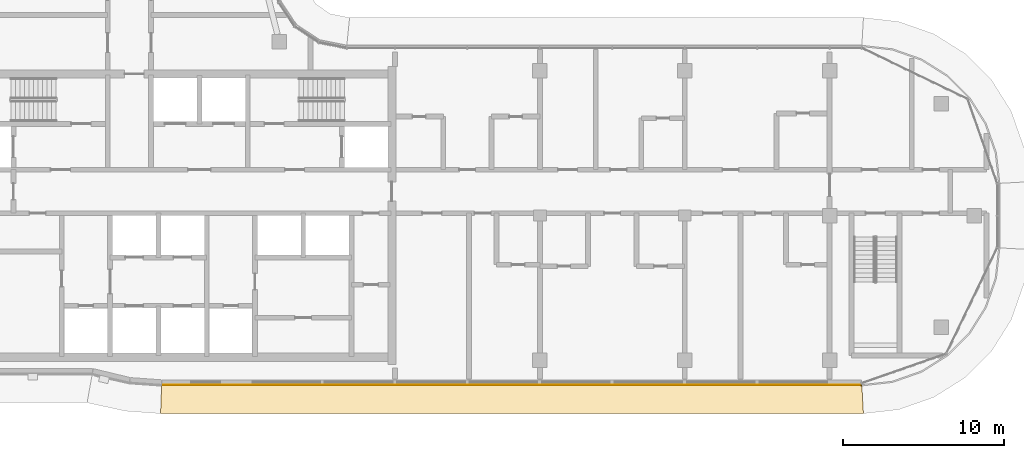
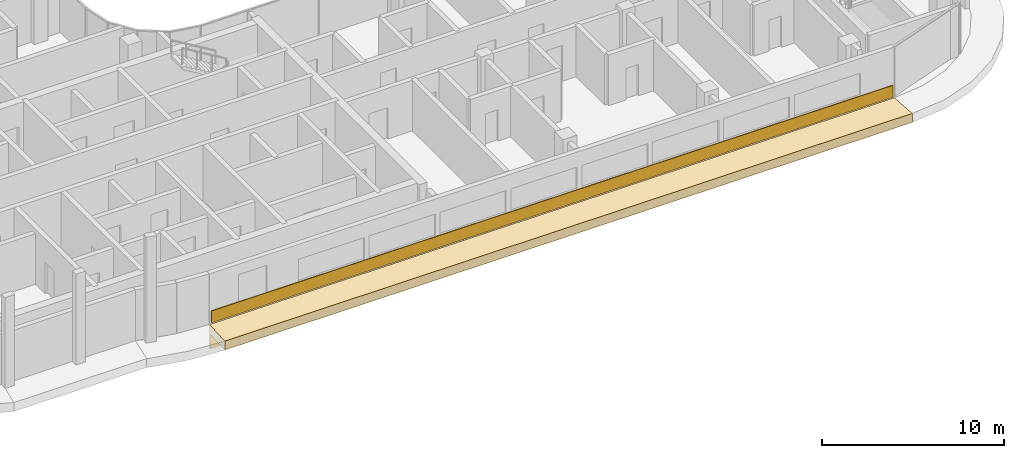
# One storey, part 19 of 21: 3 coverings.
"""IFC4 building model written with IfcOpenShell, lengths in metres."""

import ifcopenshell
import ifcopenshell.guid

model = None  # the IFC model being written
_history = None  # IfcOwnerHistory: only IFC2X3 demands one
_inside = {}  # id of a spatial element -> (the spatial element, [elements in it])
_under = {}  # id of a project, library or spatial element -> (it, [spatial elements below it])
_declared = {}  # id of a project -> (the project, [libraries it declares])
_typed = {}  # id of a type object -> (the type object, [elements of that type])
_made_of = {}  # id of a material, layer set ... -> (it, [elements and type objects made of it])


def new_model(schema):
    """Start an empty IFC model of exactly this schema.

    Asked for "IFC4X3", IfcOpenShell would pick the latest addendum, in which some entities
    have other attributes; the version numbers below select the first issue.
    IFC2X3 requires an IfcOwnerHistory on every rooted entity: one is made here for all.
    """
    global model, _history
    if schema == "IFC4X3":
        model = ifcopenshell.file(schema_version=(4, 3, 0, 0))
    else:
        model = ifcopenshell.file(schema=schema)
    _inside.clear()
    _under.clear()
    _declared.clear()
    _typed.clear()
    _made_of.clear()
    _history = None
    if model.schema == "IFC2X3":
        org = make("IfcOrganization", Name="unknown")
        user = make(
            "IfcPersonAndOrganization",
            ThePerson=make("IfcPerson", FamilyName="unknown"),
            TheOrganization=org,
        )
        app = make(
            "IfcApplication",
            ApplicationDeveloper=org,
            Version="unknown",
            ApplicationFullName="unknown",
            ApplicationIdentifier="unknown",
        )
        _history = make(
            "IfcOwnerHistory",
            OwningUser=user,
            OwningApplication=app,
            ChangeAction="ADDED",
            CreationDate=0,
        )
    return model


def make(cls, **values):
    """One entity of the class cls with the attributes given. An attribute that is None is left unset."""
    return model.create_entity(
        cls, **{name: value for name, value in values.items() if value is not None}
    )


def rooted(cls, **values):
    """An entity with a GlobalId (a new one), such as an element, a storey or a relation."""
    return make(cls, GlobalId=ifcopenshell.guid.new(), OwnerHistory=_history, **values)


def si_unit(unit_type, name, prefix=None):
    """IfcSIUnit, for example si_unit("LENGTHUNIT", "METRE", prefix="MILLI")."""
    return make("IfcSIUnit", UnitType=unit_type, Prefix=prefix, Name=name)


def assignment(units):
    """IfcUnitAssignment: the units of a project."""
    return None if units is None else make("IfcUnitAssignment", Units=units)


def point(xyz):
    """IfcCartesianPoint."""
    return None if xyz is None else make("IfcCartesianPoint", Coordinates=xyz)


def direction(xyz):
    """IfcDirection."""
    return None if xyz is None else make("IfcDirection", DirectionRatios=xyz)


def frame(location, z_axis=None, x_axis=None):
    """IfcAxis2Placement3D, a coordinate frame: its origin and axes. An axis left out is left unset."""
    return make(
        "IfcAxis2Placement3D",
        Location=point(location),
        Axis=direction(z_axis),
        RefDirection=direction(x_axis),
    )


def frame_2d(location, x_axis=None):
    """IfcAxis2Placement2D, a coordinate frame in the plane: its origin and x axis."""
    return make(
        "IfcAxis2Placement2D", Location=point(location), RefDirection=direction(x_axis)
    )


def origin():
    """The frame at (0, 0, 0) with its axes left unset."""
    return frame((0.0, 0.0, 0.0))


def origin_2d():
    """The frame at (0, 0) in the plane with its x axis left unset."""
    return frame_2d((0.0, 0.0))


def place(relative_to, where):
    """IfcLocalPlacement: puts the frame where relative to a parent placement (None: the world)."""
    return make(
        "IfcLocalPlacement", PlacementRelTo=relative_to, RelativePlacement=where
    )


def context(
    kind, dimensions, precision=None, world=None, true_north=None, identifier=None
):
    """IfcGeometricRepresentationContext, for example the 3D "Model" context."""
    return make(
        "IfcGeometricRepresentationContext",
        ContextIdentifier=identifier,
        ContextType=kind,
        CoordinateSpaceDimension=dimensions,
        Precision=precision,
        WorldCoordinateSystem=world,
        TrueNorth=true_north,
    )


def subcontext(parent, identifier, kind, view, scale=None):
    """IfcGeometricRepresentationSubContext, for example "Body" below "Model"."""
    return make(
        "IfcGeometricRepresentationSubContext",
        ContextIdentifier=identifier,
        ContextType=kind,
        ParentContext=parent,
        TargetScale=scale,
        TargetView=view,
    )


def project(units=None, contexts=None):
    """IfcProject with its units and contexts."""
    return rooted(
        "IfcProject",
        Name="project",
        RepresentationContexts=contexts,
        UnitsInContext=assignment(units),
    )


def spatial(cls, under=None, at=None, **own):
    """A site, building, storey or space (cls), placed at a placement, below another one or the project."""
    s = rooted(cls, ObjectPlacement=at, **own)
    if under is not None:
        _under.setdefault(under.id(), (under, []))[1].append(s)
    return s


def polyline(points):
    """IfcPolyline through the points."""
    return make("IfcPolyline", Points=[point(p) for p in points])


def profile(cls, at=None, kind="AREA", **sizes):
    """A parametric profile (cls). Its sizes go by their IFC names, for example OverallWidth=200.0."""
    return make(cls, ProfileType=kind, Position=at, **sizes)


def rectangle(**sizes):
    """IfcRectangleProfileDef."""
    return profile("IfcRectangleProfileDef", **sizes)


def outline(outer, holes=None, kind="AREA"):
    """IfcArbitraryClosedProfileDef: a profile drawn as a closed curve; with holes, ...WithVoids."""
    if holes is None:
        return make("IfcArbitraryClosedProfileDef", ProfileType=kind, OuterCurve=outer)
    return make(
        "IfcArbitraryProfileDefWithVoids",
        ProfileType=kind,
        OuterCurve=outer,
        InnerCurves=holes,
    )


def extrude(swept, where, along, depth):
    """IfcExtrudedAreaSolid: the profile swept, set in the frame where, extruded along a direction by depth."""
    return make(
        "IfcExtrudedAreaSolid",
        SweptArea=swept,
        Position=where,
        ExtrudedDirection=direction(along),
        Depth=depth,
    )


def shape(context_of_items, identifier, shape_type, items):
    """IfcShapeRepresentation: the items that make up one representation, for example the "Body"."""
    return make(
        "IfcShapeRepresentation",
        ContextOfItems=context_of_items,
        RepresentationIdentifier=identifier,
        RepresentationType=shape_type,
        Items=items,
    )


def material(Name=None, Category=None):
    """IfcMaterial."""
    return make("IfcMaterial", Name=Name, Category=Category)


def layer(
    of_material, thickness, ventilated=None, Name=None, Category=None, Priority=None
):
    """IfcMaterialLayer: one layer of a wall or slab, of a material (None: an air gap)."""
    return make(
        "IfcMaterialLayer",
        Material=of_material,
        LayerThickness=thickness,
        IsVentilated=ventilated,
        Name=Name,
        Category=Category,
        Priority=Priority,
    )


def layer_set(layers, Name=None):
    """IfcMaterialLayerSet."""
    return make("IfcMaterialLayerSet", MaterialLayers=layers, LayerSetName=Name)


def made_of(thing, what):
    """Note that an element or type object is made of a material, layer set ...; save() writes the relation."""
    if what is not None:
        _made_of.setdefault(what.id(), (what, []))[1].append(thing)
    return thing


def type_object(cls, material=None, **own):
    """A type object (cls), such as IfcWallType, which elements share."""
    return made_of(rooted(cls, **own), material)


def element(
    cls,
    number,
    at=None,
    inside=None,
    cuts=None,
    type_object=None,
    material=None,
    context=None,
    identifier="Body",
    shape_type=None,
    held_by="IfcProductDefinitionShape",
    body=None,
    shapes=None,
    **own,
):
    """One element of the class cls, such as IfcWall. Its Tag is "e" and its number.

    at: its placement. inside: the storey or other place that contains it. cuts: it is an
    opening in that element (IfcRelVoidsElement). A single representation is given by context,
    identifier, shape_type and body (its items); several are given by shapes. held_by: the class
    of the entity that holds the representations. save() writes the other relations.
    """
    e = rooted(cls, Tag="e%d" % number, ObjectPlacement=at, **own)
    if body is not None:
        shapes = [shape(context, identifier, shape_type, body)]
    if shapes is not None:
        e.Representation = make(held_by, Representations=shapes)
    if inside is not None:
        _inside.setdefault(inside.id(), (inside, []))[1].append(e)
    if cuts is not None:
        rooted(
            "IfcRelVoidsElement", RelatingBuildingElement=cuts, RelatedOpeningElement=e
        )
    if type_object is not None:
        _typed.setdefault(type_object.id(), (type_object, []))[1].append(e)
    return made_of(e, material)


def aggregate(whole, parts):
    """IfcRelAggregates: a whole, such as a stair, and the parts it consists of."""
    return rooted("IfcRelAggregates", RelatingObject=whole, RelatedObjects=parts)


def save(model, path):
    """Write the relations noted so far, then the file.

    IfcRelAggregates (storeys below a building ...), IfcRelContainedInSpatialStructure (elements
    in a storey), IfcRelDefinesByType, IfcRelAssociatesMaterial and IfcRelDeclares: one each for
    every whole, place, type object, material and project.
    """
    for whole, parts in _under.values():
        aggregate(whole, parts)
    for where, things in _inside.values():
        rooted(
            "IfcRelContainedInSpatialStructure",
            RelatedElements=things,
            RelatingStructure=where,
        )
    for kind, things in _typed.values():
        rooted("IfcRelDefinesByType", RelatedObjects=things, RelatingType=kind)
    for what, things in _made_of.values():
        rooted("IfcRelAssociatesMaterial", RelatedObjects=things, RelatingMaterial=what)
    for by, libraries in _declared.values():
        rooted("IfcRelDeclares", RelatingContext=by, RelatedDefinitions=libraries)
    model.write(path)


model = new_model("IFC4")

# Units and contexts
model_context = context("Model", 3, precision=1e-05, world=origin(), true_north=direction((0.0, 1.0)))
body_context = subcontext(model_context, "Body", "Model", "MODEL_VIEW")
ifc_project = project(units=[si_unit("LENGTHUNIT", "METRE"), si_unit("AREAUNIT", "SQUARE_METRE"), si_unit("VOLUMEUNIT", "CUBIC_METRE"), si_unit("PLANEANGLEUNIT", "RADIAN"), si_unit("MASSUNIT", "GRAM", prefix="KILO")], contexts=[model_context])

# Site, building, storey
site_placement = place(None, origin())
site = spatial("IfcSite", under=ifc_project, at=site_placement, CompositionType="ELEMENT")
building_placement = place(site_placement, origin())
building = spatial("IfcBuilding", under=site, at=building_placement, Name="Ogive Portal Towers", CompositionType="ELEMENT")
storey_placement = place(building_placement, frame((0.0, 0.0, 225.39990234375)))
storey = spatial("IfcBuildingStorey", under=building, at=storey_placement, Name="L56", CompositionType="ELEMENT", Elevation=225.39990234375)

# Coverings
ifc_material = material(Name="Limestone cladding on lightweight block wall", Category="masonry")
ifc_layer_1 = layer(ifc_material, 0.050048828125)
ifc_layer_set_1 = layer_set([ifc_layer_1], Name="SCREEN PERFORATED STONE")
covering_type_1 = type_object("IfcCoveringType", Name="SCREEN PERFORATED STONE", PredefinedType="CLADDING", material=ifc_layer_set_1)
covering_1_placement = place(storey_placement, frame((65.74853515625, 19.97509765625, 0.10009765625), z_axis=(0.0, 0.0, 1.0), x_axis=(1.0, 0.0, 0.0)))
element("IfcCovering", 1, at=covering_1_placement, inside=storey, type_object=covering_type_1, Name="Tracery screen", PredefinedType="CLADDING", context=body_context, shape_type="SweptSolid", body=[
    extrude(rectangle(XDim=43.275634765625, YDim=0.050048828125, at=origin_2d()), origin(), (0.0, 0.0, 1.0), 0.800048828125),
])
ifc_layer_2 = layer(ifc_material, 0.080078125)
ifc_layer_set_2 = layer_set([ifc_layer_2], Name="STONE SPANDREL 80")
covering_type_2 = type_object("IfcCoveringType", Name="STONE SPANDREL 80", PredefinedType="CLADDING", material=ifc_layer_set_2)
covering_2_placement = place(storey_placement, frame((0.0, 0.0, -1.599853515625)))
element("IfcCovering", 2, at=covering_2_placement, inside=storey, type_object=covering_type_2, Name="Stone spandrel A1-F05", PredefinedType="CLADDING", context=body_context, shape_type="SweptSolid", body=[
    extrude(outline(polyline([(44.0, 20.0), (87.5, 20.0), (87.50439453125, 19.919921875), (43.9970703125, 19.919921875), (44.0, 20.0)])), origin(), (0.0, 0.0, 1.0), 1.0),
])
ifc_layer_3 = layer(ifc_material, 0.60009765625)
ifc_layer_set_3 = layer_set([ifc_layer_3], Name="SUNSHADE LIP 600")
covering_type_3 = type_object("IfcCoveringType", Name="SUNSHADE LIP 600", PredefinedType="CLADDING", material=ifc_layer_set_3)
covering_3_placement = place(storey_placement, frame((0.0, 0.0, -0.599853515625)))
element("IfcCovering", 3, at=covering_3_placement, inside=storey, type_object=covering_type_3, Name="Sunshade lip A1-F05", PredefinedType="CLADDING", context=body_context, shape_type="SweptSolid", body=[
    extrude(outline(polyline([(44.0, 20.0), (87.5, 20.0), (87.60107421875, 18.199951171875), (43.935791015625, 18.199951171875), (44.0, 20.0)])), origin(), (0.0, 0.0, 1.0), 0.599853515625),
])

save(model, "model.ifc")
